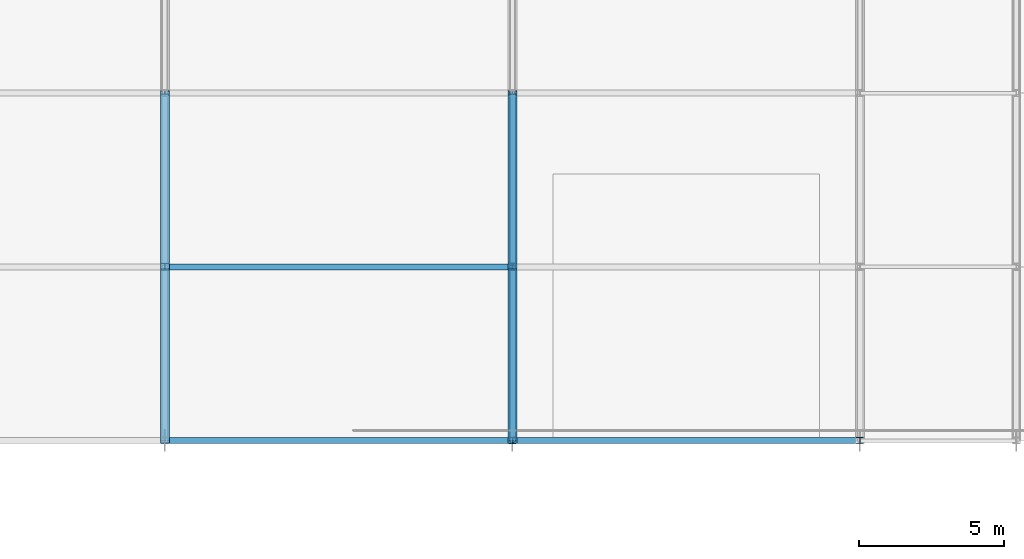
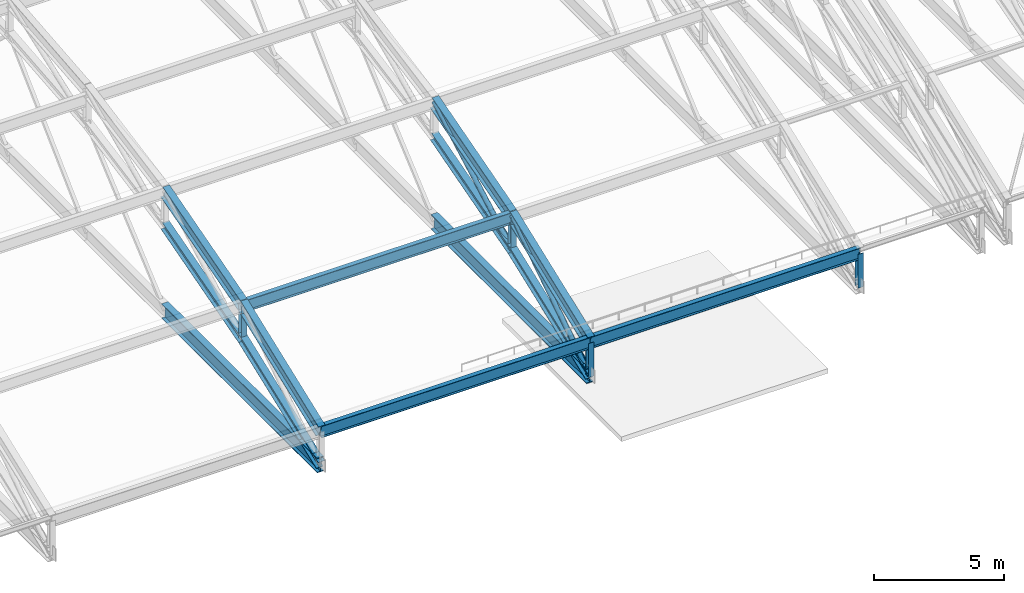
# One storey, part 75 of 204: 19 members.
"""IFC4 building model written with IfcOpenShell, lengths in metres."""

from ifc_helpers import new_model, si_unit, direction, frame, origin, origin_2d, place, context, subcontext, project, spatial, hollow_circle, i_section, extrude, material, material_profile, profile_set, type_object, element, save


model = new_model("IFC4")

# Units and contexts
model_context = context("Model", 3, precision=1e-05, world=origin(), true_north=direction((0.0, 1.0)))
body_context = subcontext(model_context, "Body", "Model", "MODEL_VIEW")
ifc_project = project(units=[si_unit("LENGTHUNIT", "METRE"), si_unit("AREAUNIT", "SQUARE_METRE"), si_unit("VOLUMEUNIT", "CUBIC_METRE"), si_unit("PLANEANGLEUNIT", "RADIAN"), si_unit("MASSUNIT", "GRAM", prefix="KILO")], contexts=[model_context])

# Site, building, storey
site_placement = place(None, origin())
site = spatial("IfcSite", under=ifc_project, at=site_placement, CompositionType="ELEMENT")
building_placement = place(site_placement, origin())
building = spatial("IfcBuilding", under=site, at=building_placement, Name="Zilviju Railside Exhibition Hall", CompositionType="ELEMENT")
storey_placement = place(building_placement, frame((0.0, 0.0, 21.0)))
storey = spatial("IfcBuildingStorey", under=building, at=storey_placement, Name="RF", CompositionType="ELEMENT", Elevation=21.0)

# Members
ifc_material = material(Name="Steel S355J2", Category="steel")
ifc_material_profile_1 = material_profile(ifc_material, hollow_circle(Radius=0.109619140625, WallThickness=0.010009765625, at=origin_2d()), Name="CHS 219.1x10.0")
ifc_profile_set_1 = profile_set([ifc_material_profile_1], Name="Steel S355J2")
member_type_1 = type_object("IfcMemberType", Name="TR-BR-CHS219", PredefinedType="BRACE", material=ifc_profile_set_1)
member_1_placement = place(storey_placement, frame((108.0, 84.0, -3.60009765625), z_axis=(0.0, 0.838995406637, 0.544138500423), x_axis=(-1.0, 0.0, 0.0)))
element("IfcMember", 1, at=member_1_placement, inside=storey, type_object=member_type_1, Name="V2 Parabolic Arch Web Diagonal X=108.0 P1", PredefinedType="BRACE", context=body_context, shape_type="SweptSolid", body=[
    extrude(hollow_circle(Radius=0.109619140625, WallThickness=0.010009765625, at=origin_2d()), origin(), (0.0, 0.0, 1.0), 7.1513671875),
])
member_2_placement = place(storey_placement, frame((108.0, 90.0, -1.30859375), z_axis=(0.0, 0.8750828143, 0.483973210122), x_axis=(-1.0, 0.0, 0.0)))
element("IfcMember", 2, at=member_2_placement, inside=storey, type_object=member_type_1, Name="V2 Parabolic Arch Web Diagonal X=108.0 P2", PredefinedType="BRACE", context=body_context, shape_type="SweptSolid", body=[
    extrude(hollow_circle(Radius=0.109619140625, WallThickness=0.010009765625, at=origin_2d()), origin(), (0.0, 0.0, 1.0), 6.8564453125),
])
ifc_material_profile_2 = material_profile(ifc_material, i_section(OverallWidth=0.300048828125, OverallDepth=0.39990234375, WebThickness=0.013427734375, FlangeThickness=0.02392578125, at=origin_2d()), Name="HEB 400")
ifc_profile_set_2 = profile_set([ifc_material_profile_2], Name="Steel S355J2")
member_type_2 = type_object("IfcMemberType", Name="TR-CH-HEB400", PredefinedType="CHORD", material=ifc_profile_set_2)
member_3_placement = place(storey_placement, frame((96.0, 84.0, -3.60009765625), z_axis=(0.0, 0.934187521086, 0.35678239229), x_axis=(-1.0, 0.0, 0.0)))
element("IfcMember", 3, at=member_3_placement, inside=storey, type_object=member_type_2, Name="V2 Parabolic Arch Bottom Chord X=96.0 P1", PredefinedType="CHORD", context=body_context, shape_type="SweptSolid", body=[
    extrude(i_section(OverallWidth=0.300048828125, OverallDepth=0.39990234375, WebThickness=0.013427734375, FlangeThickness=0.02392578125, at=origin_2d()), origin(), (0.0, 0.0, 1.0), 6.422607421875),
])
member_4_placement = place(storey_placement, frame((96.0, 90.0, -1.30859375), z_axis=(0.0, 0.961345133658, 0.275346207512), x_axis=(-1.0, 0.0, 0.0)))
element("IfcMember", 4, at=member_4_placement, inside=storey, type_object=member_type_2, Name="V2 Parabolic Arch Bottom Chord X=96.0 P2", PredefinedType="CHORD", context=body_context, shape_type="SweptSolid", body=[
    extrude(i_section(OverallWidth=0.300048828125, OverallDepth=0.39990234375, WebThickness=0.013427734375, FlangeThickness=0.02392578125, at=origin_2d()), origin(), (0.0, 0.0, 1.0), 6.2412109375),
])
member_5_placement = place(storey_placement, frame((108.0, 84.0, -3.60009765625), z_axis=(0.0, 0.934187521086, 0.35678239229), x_axis=(-1.0, 0.0, 0.0)))
element("IfcMember", 5, at=member_5_placement, inside=storey, type_object=member_type_2, Name="V2 Parabolic Arch Bottom Chord X=108.0 P1", PredefinedType="CHORD", context=body_context, shape_type="SweptSolid", body=[
    extrude(i_section(OverallWidth=0.300048828125, OverallDepth=0.39990234375, WebThickness=0.013427734375, FlangeThickness=0.02392578125, at=origin_2d()), origin(), (0.0, 0.0, 1.0), 6.422607421875),
])
member_6_placement = place(storey_placement, frame((108.0, 90.0, -1.30859375), z_axis=(0.0, 0.961345133658, 0.275346207512), x_axis=(-1.0, 0.0, 0.0)))
element("IfcMember", 6, at=member_6_placement, inside=storey, type_object=member_type_2, Name="V2 Parabolic Arch Bottom Chord X=108.0 P2", PredefinedType="CHORD", context=body_context, shape_type="SweptSolid", body=[
    extrude(i_section(OverallWidth=0.300048828125, OverallDepth=0.39990234375, WebThickness=0.013427734375, FlangeThickness=0.02392578125, at=origin_2d()), origin(), (0.0, 0.0, 1.0), 6.2412109375),
])
ifc_material_profile_3 = material_profile(ifc_material, i_section(OverallWidth=0.300048828125, OverallDepth=0.60009765625, WebThickness=0.015380859375, FlangeThickness=0.030029296875, at=origin_2d()), Name="HEB 600")
ifc_profile_set_3 = profile_set([ifc_material_profile_3], Name="Steel S355J2")
member_type_3 = type_object("IfcMemberType", Name="TR-CH-HEB600", PredefinedType="CHORD", material=ifc_profile_set_3)
member_7_placement = place(storey_placement, frame((96.0, 84.0, -2.0), z_axis=(0.0, 0.934200190194, 0.356749218138), x_axis=(-1.0, 0.0, 0.0)))
element("IfcMember", 7, at=member_7_placement, inside=storey, type_object=member_type_3, Name="V2 Parabolic Arch Top Chord X=96.0 P1", PredefinedType="CHORD", context=body_context, shape_type="SweptSolid", body=[
    extrude(i_section(OverallWidth=0.300048828125, OverallDepth=0.60009765625, WebThickness=0.015380859375, FlangeThickness=0.030029296875, at=origin_2d()), origin(), (0.0, 0.0, 1.0), 6.422607421875),
])
member_8_placement = place(storey_placement, frame((96.0, 90.0, 0.291259765625), z_axis=(0.0, 0.961345133658, 0.275346207512), x_axis=(-1.0, 0.0, 0.0)))
element("IfcMember", 8, at=member_8_placement, inside=storey, type_object=member_type_3, Name="V2 Parabolic Arch Top Chord X=96.0 P2", PredefinedType="CHORD", context=body_context, shape_type="SweptSolid", body=[
    extrude(i_section(OverallWidth=0.300048828125, OverallDepth=0.60009765625, WebThickness=0.015380859375, FlangeThickness=0.030029296875, at=origin_2d()), origin(), (0.0, 0.0, 1.0), 6.2412109375),
])
member_9_placement = place(storey_placement, frame((108.0, 84.0, -2.0), z_axis=(0.0, 0.934200190194, 0.356749218138), x_axis=(-1.0, 0.0, 0.0)))
element("IfcMember", 9, at=member_9_placement, inside=storey, type_object=member_type_3, Name="V2 Parabolic Arch Top Chord X=108.0 P1", PredefinedType="CHORD", context=body_context, shape_type="SweptSolid", body=[
    extrude(i_section(OverallWidth=0.300048828125, OverallDepth=0.60009765625, WebThickness=0.015380859375, FlangeThickness=0.030029296875, at=origin_2d()), origin(), (0.0, 0.0, 1.0), 6.422607421875),
])
member_10_placement = place(storey_placement, frame((108.0, 90.0, 0.291259765625), z_axis=(0.0, 0.961345133658, 0.275346207512), x_axis=(-1.0, 0.0, 0.0)))
element("IfcMember", 10, at=member_10_placement, inside=storey, type_object=member_type_3, Name="V2 Parabolic Arch Top Chord X=108.0 P2", PredefinedType="CHORD", context=body_context, shape_type="SweptSolid", body=[
    extrude(i_section(OverallWidth=0.300048828125, OverallDepth=0.60009765625, WebThickness=0.015380859375, FlangeThickness=0.030029296875, at=origin_2d()), origin(), (0.0, 0.0, 1.0), 6.2412109375),
])
ifc_material_profile_4 = material_profile(ifc_material, i_section(OverallWidth=0.239990234375, OverallDepth=0.22998046875, WebThickness=0.007568359375, FlangeThickness=0.011962890625, at=origin_2d()), Name="HEA 240")
ifc_profile_set_4 = profile_set([ifc_material_profile_4], Name="Steel S355J2")
member_type_4 = type_object("IfcMemberType", Name="TR-POST-HEA240", PredefinedType="POST", material=ifc_profile_set_4)
member_11_placement = place(storey_placement, frame((96.0, 90.0, -1.30859375), z_axis=(0.0, 0.0, 1.0), x_axis=(1.0, 0.0, 0.0)))
element("IfcMember", 11, at=member_11_placement, inside=storey, type_object=member_type_4, Name="V2 Parabolic Arch Web Post X=96.0 N1", PredefinedType="POST", context=body_context, shape_type="SweptSolid", body=[
    extrude(i_section(OverallWidth=0.239990234375, OverallDepth=0.22998046875, WebThickness=0.007568359375, FlangeThickness=0.011962890625, at=origin_2d()), origin(), (0.0, 0.0, 1.0), 1.599853515625),
])
member_12_placement = place(storey_placement, frame((108.0, 84.0, -3.60009765625), z_axis=(0.0, 0.0, 1.0), x_axis=(1.0, 0.0, 0.0)))
element("IfcMember", 12, at=member_12_placement, inside=storey, type_object=member_type_4, Name="V2 Parabolic Arch Web Post X=108.0 N0", PredefinedType="POST", context=body_context, shape_type="SweptSolid", body=[
    extrude(i_section(OverallWidth=0.239990234375, OverallDepth=0.22998046875, WebThickness=0.007568359375, FlangeThickness=0.011962890625, at=origin_2d()), origin(), (0.0, 0.0, 1.0), 1.60009765625),
])
member_13_placement = place(storey_placement, frame((108.0, 90.0, -1.30859375), z_axis=(0.0, 0.0, 1.0), x_axis=(1.0, 0.0, 0.0)))
element("IfcMember", 13, at=member_13_placement, inside=storey, type_object=member_type_4, Name="V2 Parabolic Arch Web Post X=108.0 N1", PredefinedType="POST", context=body_context, shape_type="SweptSolid", body=[
    extrude(i_section(OverallWidth=0.239990234375, OverallDepth=0.22998046875, WebThickness=0.007568359375, FlangeThickness=0.011962890625, at=origin_2d()), origin(), (0.0, 0.0, 1.0), 1.599853515625),
])
member_14_placement = place(storey_placement, frame((120.0, 84.0, -3.60009765625), z_axis=(0.0, 0.0, 1.0), x_axis=(1.0, 0.0, 0.0)))
element("IfcMember", 14, at=member_14_placement, inside=storey, type_object=member_type_4, Name="V2 Parabolic Arch Web Post X=120.0 N0", PredefinedType="POST", context=body_context, shape_type="SweptSolid", body=[
    extrude(i_section(OverallWidth=0.239990234375, OverallDepth=0.22998046875, WebThickness=0.007568359375, FlangeThickness=0.011962890625, at=origin_2d()), origin(), (0.0, 0.0, 1.0), 1.60009765625),
])
ifc_material_profile_5 = material_profile(ifc_material, i_section(OverallWidth=0.2099609375, OverallDepth=0.550048828125, WebThickness=0.010986328125, FlangeThickness=0.01708984375, at=origin_2d()), Name="IPE 550")
ifc_profile_set_5 = profile_set([ifc_material_profile_5], Name="Steel S355J2")
member_type_5 = type_object("IfcMemberType", Name="TR-PUR-IPE550", PredefinedType="PURLIN", material=ifc_profile_set_5)
for number, where, z_axis, x_axis, name in (
    (15, (96.0, 84.0, -2.011962890625), (1.0, 0.0, 0.0), (0.0, 1.0, 0.0), "V2 Barrel Vault Roof Purlin Y=84.0 (96.0..108.0)"),
    (16, (96.0, 90.0, 0.239501953125), (1.0, 0.0, 0.0), (0.0, 1.0, 0.0), "V2 Barrel Vault Roof Purlin Y=90.0 (96.0..108.0)"),
    (17, (108.0, 84.0, -2.011962890625), (1.0, 0.0, 0.0), (0.0, 1.0, 0.0), "V2 Barrel Vault Roof Purlin Y=84.0 (108.0..120.0)"),
):
    element("IfcMember", number, at=place(storey_placement, frame(where, z_axis=z_axis, x_axis=x_axis)), inside=storey, type_object=member_type_5, Name=name, PredefinedType="PURLIN", context=body_context, shape_type="SweptSolid", body=[
        extrude(i_section(OverallWidth=0.2099609375, OverallDepth=0.550048828125, WebThickness=0.010986328125, FlangeThickness=0.01708984375, at=origin_2d()), origin(), (0.0, 0.0, 1.0), 12.0),
    ])
ifc_material_profile_6 = material_profile(ifc_material, i_section(OverallWidth=0.300048828125, OverallDepth=0.699951171875, WebThickness=0.01708984375, FlangeThickness=0.031982421875, at=origin_2d()), Name="HEB 700")
ifc_profile_set_6 = profile_set([ifc_material_profile_6], Name="Steel S355J2")
member_type_6 = type_object("IfcMemberType", Name="TR-TIE-HEB700", PredefinedType="CHORD", material=ifc_profile_set_6)
for number, where, z_axis, x_axis, name in (
    (18, (96.0, 84.0, -3.60009765625), (0.0, 1.0, 0.0), (-1.0, 0.0, 0.0), "V2 Arch Tie Member X=96.0"),
    (19, (108.0, 84.0, -3.60009765625), (0.0, 1.0, 0.0), (-1.0, 0.0, 0.0), "V2 Arch Tie Member X=108.0"),
):
    element("IfcMember", number, at=place(storey_placement, frame(where, z_axis=z_axis, x_axis=x_axis)), inside=storey, type_object=member_type_6, Name=name, PredefinedType="CHORD", context=body_context, shape_type="SweptSolid", body=[
        extrude(i_section(OverallWidth=0.300048828125, OverallDepth=0.699951171875, WebThickness=0.01708984375, FlangeThickness=0.031982421875, at=origin_2d()), origin(), (0.0, 0.0, 1.0), 12.0),
    ])

save(model, "model.ifc")
